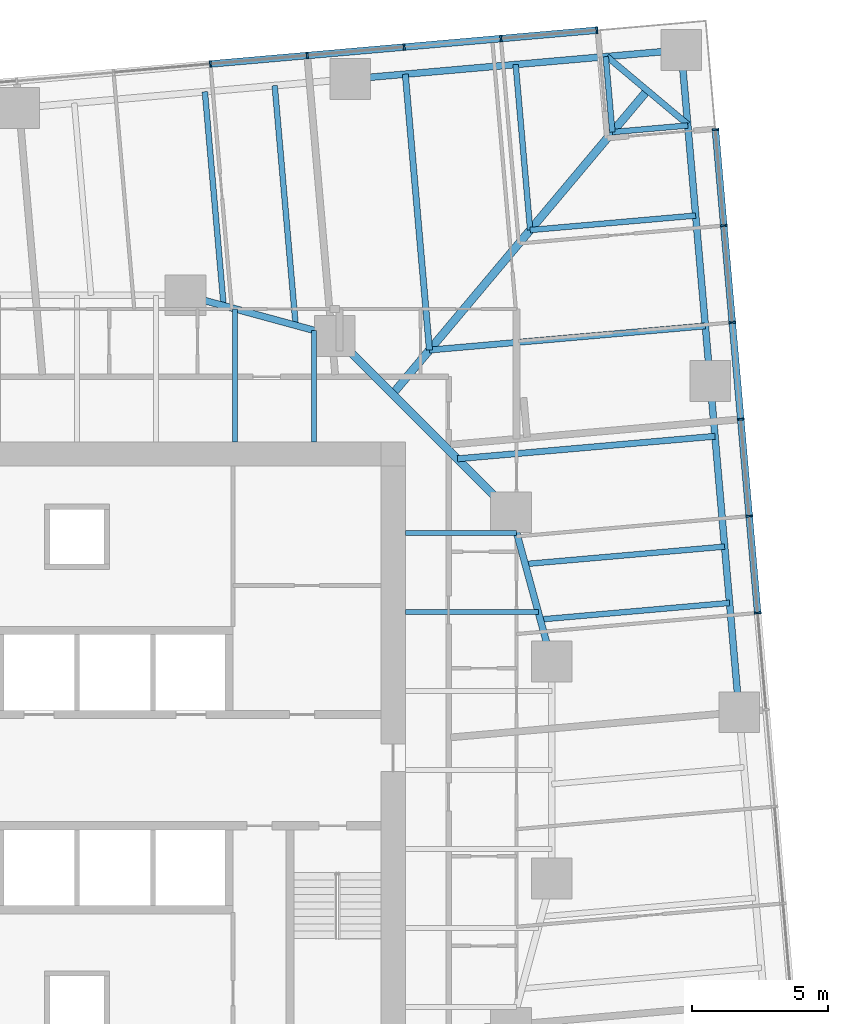
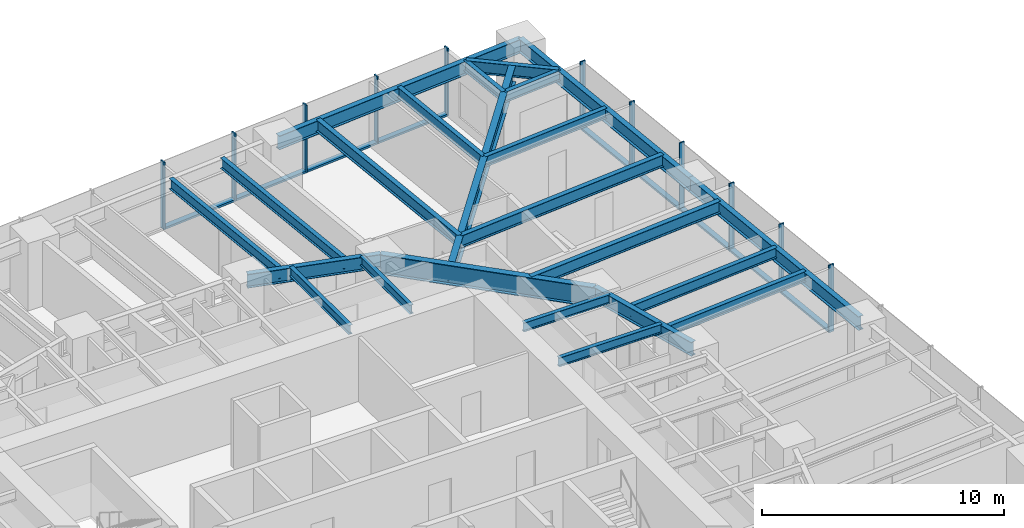
# One storey, part 6 of 14: 23 beams, 20 members, 2 elements without a shape of their own.
"""IFC4 building model written with IfcOpenShell, lengths in metres."""

import ifcopenshell
import ifcopenshell.guid

model = None  # the IFC model being written
_history = None  # IfcOwnerHistory: only IFC2X3 demands one
_inside = {}  # id of a spatial element -> (the spatial element, [elements in it])
_under = {}  # id of a project, library or spatial element -> (it, [spatial elements below it])
_declared = {}  # id of a project -> (the project, [libraries it declares])
_typed = {}  # id of a type object -> (the type object, [elements of that type])
_made_of = {}  # id of a material, layer set ... -> (it, [elements and type objects made of it])


def new_model(schema):
    """Start an empty IFC model of exactly this schema.

    Asked for "IFC4X3", IfcOpenShell would pick the latest addendum, in which some entities
    have other attributes; the version numbers below select the first issue.
    IFC2X3 requires an IfcOwnerHistory on every rooted entity: one is made here for all.
    """
    global model, _history
    if schema == "IFC4X3":
        model = ifcopenshell.file(schema_version=(4, 3, 0, 0))
    else:
        model = ifcopenshell.file(schema=schema)
    _inside.clear()
    _under.clear()
    _declared.clear()
    _typed.clear()
    _made_of.clear()
    _history = None
    if model.schema == "IFC2X3":
        org = make("IfcOrganization", Name="unknown")
        user = make(
            "IfcPersonAndOrganization",
            ThePerson=make("IfcPerson", FamilyName="unknown"),
            TheOrganization=org,
        )
        app = make(
            "IfcApplication",
            ApplicationDeveloper=org,
            Version="unknown",
            ApplicationFullName="unknown",
            ApplicationIdentifier="unknown",
        )
        _history = make(
            "IfcOwnerHistory",
            OwningUser=user,
            OwningApplication=app,
            ChangeAction="ADDED",
            CreationDate=0,
        )
    return model


def make(cls, **values):
    """One entity of the class cls with the attributes given. An attribute that is None is left unset."""
    return model.create_entity(
        cls, **{name: value for name, value in values.items() if value is not None}
    )


def rooted(cls, **values):
    """An entity with a GlobalId (a new one), such as an element, a storey or a relation."""
    return make(cls, GlobalId=ifcopenshell.guid.new(), OwnerHistory=_history, **values)


def si_unit(unit_type, name, prefix=None):
    """IfcSIUnit, for example si_unit("LENGTHUNIT", "METRE", prefix="MILLI")."""
    return make("IfcSIUnit", UnitType=unit_type, Prefix=prefix, Name=name)


def assignment(units):
    """IfcUnitAssignment: the units of a project."""
    return None if units is None else make("IfcUnitAssignment", Units=units)


def point(xyz):
    """IfcCartesianPoint."""
    return None if xyz is None else make("IfcCartesianPoint", Coordinates=xyz)


def direction(xyz):
    """IfcDirection."""
    return None if xyz is None else make("IfcDirection", DirectionRatios=xyz)


def frame(location, z_axis=None, x_axis=None):
    """IfcAxis2Placement3D, a coordinate frame: its origin and axes. An axis left out is left unset."""
    return make(
        "IfcAxis2Placement3D",
        Location=point(location),
        Axis=direction(z_axis),
        RefDirection=direction(x_axis),
    )


def frame_2d(location, x_axis=None):
    """IfcAxis2Placement2D, a coordinate frame in the plane: its origin and x axis."""
    return make(
        "IfcAxis2Placement2D", Location=point(location), RefDirection=direction(x_axis)
    )


def origin():
    """The frame at (0, 0, 0) with its axes left unset."""
    return frame((0.0, 0.0, 0.0))


def origin_2d():
    """The frame at (0, 0) in the plane with its x axis left unset."""
    return frame_2d((0.0, 0.0))


def place(relative_to, where):
    """IfcLocalPlacement: puts the frame where relative to a parent placement (None: the world)."""
    return make(
        "IfcLocalPlacement", PlacementRelTo=relative_to, RelativePlacement=where
    )


def context(
    kind, dimensions, precision=None, world=None, true_north=None, identifier=None
):
    """IfcGeometricRepresentationContext, for example the 3D "Model" context."""
    return make(
        "IfcGeometricRepresentationContext",
        ContextIdentifier=identifier,
        ContextType=kind,
        CoordinateSpaceDimension=dimensions,
        Precision=precision,
        WorldCoordinateSystem=world,
        TrueNorth=true_north,
    )


def subcontext(parent, identifier, kind, view, scale=None):
    """IfcGeometricRepresentationSubContext, for example "Body" below "Model"."""
    return make(
        "IfcGeometricRepresentationSubContext",
        ContextIdentifier=identifier,
        ContextType=kind,
        ParentContext=parent,
        TargetScale=scale,
        TargetView=view,
    )


def project(units=None, contexts=None):
    """IfcProject with its units and contexts."""
    return rooted(
        "IfcProject",
        Name="project",
        RepresentationContexts=contexts,
        UnitsInContext=assignment(units),
    )


def spatial(cls, under=None, at=None, **own):
    """A site, building, storey or space (cls), placed at a placement, below another one or the project."""
    s = rooted(cls, ObjectPlacement=at, **own)
    if under is not None:
        _under.setdefault(under.id(), (under, []))[1].append(s)
    return s


def profile(cls, at=None, kind="AREA", **sizes):
    """A parametric profile (cls). Its sizes go by their IFC names, for example OverallWidth=200.0."""
    return make(cls, ProfileType=kind, Position=at, **sizes)


def rectangle(**sizes):
    """IfcRectangleProfileDef."""
    return profile("IfcRectangleProfileDef", **sizes)


def i_section(**sizes):
    """IfcIShapeProfileDef."""
    return profile("IfcIShapeProfileDef", **sizes)


def extrude(swept, where, along, depth):
    """IfcExtrudedAreaSolid: the profile swept, set in the frame where, extruded along a direction by depth."""
    return make(
        "IfcExtrudedAreaSolid",
        SweptArea=swept,
        Position=where,
        ExtrudedDirection=direction(along),
        Depth=depth,
    )


def shape(context_of_items, identifier, shape_type, items):
    """IfcShapeRepresentation: the items that make up one representation, for example the "Body"."""
    return make(
        "IfcShapeRepresentation",
        ContextOfItems=context_of_items,
        RepresentationIdentifier=identifier,
        RepresentationType=shape_type,
        Items=items,
    )


def material(Name=None, Category=None):
    """IfcMaterial."""
    return make("IfcMaterial", Name=Name, Category=Category)


def material_profile(
    of_material, cross_section, Name=None, Category=None, Priority=None
):
    """IfcMaterialProfile: a cross section and its material."""
    return make(
        "IfcMaterialProfile",
        Name=Name,
        Material=of_material,
        Profile=cross_section,
        Priority=Priority,
        Category=Category,
    )


def profile_set(profiles, Name=None, composite=None):
    """IfcMaterialProfileSet."""
    return make(
        "IfcMaterialProfileSet",
        Name=Name,
        MaterialProfiles=profiles,
        CompositeProfile=composite,
    )


def made_of(thing, what):
    """Note that an element or type object is made of a material, layer set ...; save() writes the relation."""
    if what is not None:
        _made_of.setdefault(what.id(), (what, []))[1].append(thing)
    return thing


def type_object(cls, material=None, **own):
    """A type object (cls), such as IfcWallType, which elements share."""
    return made_of(rooted(cls, **own), material)


def element(
    cls,
    number,
    at=None,
    inside=None,
    cuts=None,
    type_object=None,
    material=None,
    context=None,
    identifier="Body",
    shape_type=None,
    held_by="IfcProductDefinitionShape",
    body=None,
    shapes=None,
    **own,
):
    """One element of the class cls, such as IfcWall. Its Tag is "e" and its number.

    at: its placement. inside: the storey or other place that contains it. cuts: it is an
    opening in that element (IfcRelVoidsElement). A single representation is given by context,
    identifier, shape_type and body (its items); several are given by shapes. held_by: the class
    of the entity that holds the representations. save() writes the other relations.
    """
    e = rooted(cls, Tag="e%d" % number, ObjectPlacement=at, **own)
    if body is not None:
        shapes = [shape(context, identifier, shape_type, body)]
    if shapes is not None:
        e.Representation = make(held_by, Representations=shapes)
    if inside is not None:
        _inside.setdefault(inside.id(), (inside, []))[1].append(e)
    if cuts is not None:
        rooted(
            "IfcRelVoidsElement", RelatingBuildingElement=cuts, RelatedOpeningElement=e
        )
    if type_object is not None:
        _typed.setdefault(type_object.id(), (type_object, []))[1].append(e)
    return made_of(e, material)


def aggregate(whole, parts):
    """IfcRelAggregates: a whole, such as a stair, and the parts it consists of."""
    return rooted("IfcRelAggregates", RelatingObject=whole, RelatedObjects=parts)


def save(model, path):
    """Write the relations noted so far, then the file.

    IfcRelAggregates (storeys below a building ...), IfcRelContainedInSpatialStructure (elements
    in a storey), IfcRelDefinesByType, IfcRelAssociatesMaterial and IfcRelDeclares: one each for
    every whole, place, type object, material and project.
    """
    for whole, parts in _under.values():
        aggregate(whole, parts)
    for where, things in _inside.values():
        rooted(
            "IfcRelContainedInSpatialStructure",
            RelatedElements=things,
            RelatingStructure=where,
        )
    for kind, things in _typed.values():
        rooted("IfcRelDefinesByType", RelatedObjects=things, RelatingType=kind)
    for what, things in _made_of.values():
        rooted("IfcRelAssociatesMaterial", RelatedObjects=things, RelatingMaterial=what)
    for by, libraries in _declared.values():
        rooted("IfcRelDeclares", RelatingContext=by, RelatedDefinitions=libraries)
    model.write(path)


model = new_model("IFC4")

# Units and contexts
model_context = context("Model", 3, precision=1e-05, world=origin(), true_north=direction((0.0, 1.0)))
body_context = subcontext(model_context, "Body", "Model", "MODEL_VIEW")
ifc_project = project(units=[si_unit("LENGTHUNIT", "METRE"), si_unit("AREAUNIT", "SQUARE_METRE"), si_unit("VOLUMEUNIT", "CUBIC_METRE"), si_unit("PLANEANGLEUNIT", "RADIAN"), si_unit("MASSUNIT", "GRAM", prefix="KILO")], contexts=[model_context])

# Site, building, storey
site_placement = place(None, origin())
site = spatial("IfcSite", under=ifc_project, at=site_placement, CompositionType="ELEMENT")
building_placement = place(site_placement, origin())
building = spatial("IfcBuilding", under=site, at=building_placement, Name="Torsade Residences", CompositionType="ELEMENT")
storey_placement = place(building_placement, frame((0.0, 0.0, 57.39990234375)))
storey = spatial("IfcBuildingStorey", under=building, at=storey_placement, Name="L15", CompositionType="ELEMENT", Elevation=57.39990234375)

# Beams
ifc_material_1 = material(Name="Steel grade 300", Category="steel")
ifc_material_profile_1 = material_profile(ifc_material_1, i_section(OverallWidth=0.300048828125, OverallDepth=0.89990234375, WebThickness=0.011962890625, FlangeThickness=0.02490234375, at=origin_2d()), Name="900WB175")
ifc_profile_set_1 = profile_set([ifc_material_profile_1], Name="Steel grade 300")
beam_type_1 = type_object("IfcBeamType", Name="CORNER GIRDER 900WB175", PredefinedType="BEAM", material=ifc_profile_set_1)
beam_1_placement = place(storey_placement, frame((61.021484375, 55.052490234375, 2.800048828125), z_axis=(-0.642785419012, -0.766046281307, 0.0), x_axis=(0.766046281307, -0.642785419012, 0.0)))
element("IfcBeam", 1, at=beam_1_placement, inside=storey, type_object=beam_type_1, Name="Corner girder 09 L16", PredefinedType="BEAM", context=body_context, shape_type="SweptSolid", body=[
    extrude(i_section(OverallWidth=0.300048828125, OverallDepth=0.89990234375, WebThickness=0.011962890625, FlangeThickness=0.02490234375, at=origin_2d()), origin(), (0.0, 0.0, 1.0), 14.603515625),
])
ifc_material_2 = material(Name="Steel grade 300", Category="steel")
ifc_material_profile_2 = material_profile(ifc_material_2, i_section(OverallWidth=0.22802734375, OverallDepth=0.60205078125, WebThickness=0.010498046875, FlangeThickness=0.014892578125, FilletRadius=0.013916015625, at=origin_2d()), Name="610UB101")
ifc_profile_set_2 = profile_set([ifc_material_profile_2], Name="Steel grade 300")
beam_type_2 = type_object("IfcBeamType", Name="CORNER TRIMMER 610UB101", PredefinedType="BEAM", material=ifc_profile_set_2)
beam_2_placement = place(storey_placement, frame((59.531982421875, 56.302490234375, 2.94921875), z_axis=(0.766030001697, -0.642804819911, 0.0), x_axis=(0.642804819911, 0.766030001697, 0.0)))
element("IfcBeam", 2, at=beam_2_placement, inside=storey, type_object=beam_type_2, Name="Corner trimmer 09 L16", PredefinedType="BEAM", context=body_context, shape_type="SweptSolid", body=[
    extrude(i_section(OverallWidth=0.22802734375, OverallDepth=0.60205078125, WebThickness=0.010498046875, FlangeThickness=0.014892578125, FilletRadius=0.013916015625, at=origin_2d()), origin(), (0.0, 0.0, 1.0), 3.88916015625),
])

# Curtain wall, members
ifc_material_3 = material(Name="Aluminium and glass", Category="aluminium")
curtain_wall_type = type_object("IfcCurtainWallType", Name="FRITTED GLASS CURTAIN WALL LOW ZONE", PredefinedType="NOTDEFINED", material=ifc_material_3)
curtain_wall_1_placement = place(storey_placement, origin())
curtain_wall_1 = element("IfcCurtainWall", 3, at=curtain_wall_1_placement, inside=storey, type_object=curtain_wall_type, Name="Curtain wall L15 face 4", PredefinedType="NOTDEFINED")
ifc_material_4 = material(Name="Aluminium mullion", Category="aluminium")
ifc_material_profile_3 = material_profile(ifc_material_4, rectangle(XDim=0.25, YDim=0.06494140625, at=origin_2d()), Name="CURTAIN WALL MULLION 250x65")
ifc_profile_set_3 = profile_set([ifc_material_profile_3], Name="Aluminium mullion")
member_type_1 = type_object("IfcMemberType", Name="CURTAIN WALL MULLION 250x65", PredefinedType="MULLION", material=ifc_profile_set_3)
member_1_placement = place(storey_placement, frame((65.090576171875, 35.792236328125, 0.0), z_axis=(0.0, 0.0, 1.0), x_axis=(-0.996194697964, -0.087155744208, 0.0)))
member_1 = element("IfcMember", 4, at=member_1_placement, type_object=member_type_1, Name="Mullion 8", PredefinedType="MULLION", context=body_context, shape_type="SweptSolid", body=[
    extrude(rectangle(XDim=0.25, YDim=0.06494140625, at=origin_2d()), origin(), (0.0, 0.0, 1.0), 3.400146484375),
])
member_2_placement = place(storey_placement, frame((64.7783203125, 39.36181640625, 0.0), z_axis=(0.0, 0.0, 1.0), x_axis=(-0.996194697964, -0.087155744208, 0.0)))
member_2 = element("IfcMember", 5, at=member_2_placement, type_object=member_type_1, Name="Mullion 9", PredefinedType="MULLION", context=body_context, shape_type="SweptSolid", body=[
    extrude(rectangle(XDim=0.25, YDim=0.06494140625, at=origin_2d()), origin(), (0.0, 0.0, 1.0), 3.400146484375),
])
member_3_placement = place(storey_placement, frame((64.466064453125, 42.931640625, 0.0), z_axis=(0.0, 0.0, 1.0), x_axis=(-0.996194697964, -0.087155744208, 0.0)))
member_3 = element("IfcMember", 6, at=member_3_placement, type_object=member_type_1, Name="Mullion 10", PredefinedType="MULLION", context=body_context, shape_type="SweptSolid", body=[
    extrude(rectangle(XDim=0.25, YDim=0.06494140625, at=origin_2d()), origin(), (0.0, 0.0, 1.0), 3.400146484375),
])
member_4_placement = place(storey_placement, frame((64.15380859375, 46.501220703125, 0.0), z_axis=(0.0, 0.0, 1.0), x_axis=(-0.996194697964, -0.087155744208, 0.0)))
member_4 = element("IfcMember", 7, at=member_4_placement, type_object=member_type_1, Name="Mullion 11", PredefinedType="MULLION", context=body_context, shape_type="SweptSolid", body=[
    extrude(rectangle(XDim=0.25, YDim=0.06494140625, at=origin_2d()), origin(), (0.0, 0.0, 1.0), 3.400146484375),
])
member_5_placement = place(storey_placement, frame((63.84130859375, 50.071044921875, 0.0), z_axis=(0.0, 0.0, 1.0), x_axis=(-0.996194697964, -0.087155744208, 0.0)))
member_5 = element("IfcMember", 8, at=member_5_placement, type_object=member_type_1, Name="Mullion 12", PredefinedType="MULLION", context=body_context, shape_type="SweptSolid", body=[
    extrude(rectangle(XDim=0.25, YDim=0.06494140625, at=origin_2d()), origin(), (0.0, 0.0, 1.0), 3.400146484375),
])
member_6_placement = place(storey_placement, frame((63.531982421875, 53.6083984375, 0.0), z_axis=(0.0, 0.0, 1.0), x_axis=(-0.996194697964, -0.087155744208, 0.0)))
member_6 = element("IfcMember", 9, at=member_6_placement, type_object=member_type_1, Name="Mullion 13", PredefinedType="MULLION", context=body_context, shape_type="SweptSolid", body=[
    extrude(rectangle(XDim=0.25, YDim=0.06494140625, at=origin_2d()), origin(), (0.0, 0.0, 1.0), 3.400146484375),
])

curtain_wall_2_placement = place(storey_placement, origin())
curtain_wall_2 = element("IfcCurtainWall", 10, at=curtain_wall_2_placement, inside=storey, type_object=curtain_wall_type, Name="Curtain wall L15 face 7", PredefinedType="NOTDEFINED")
member_7_placement = place(storey_placement, frame((59.163330078125, 57.27392578125, 0.0), z_axis=(0.0, 0.0, 1.0), x_axis=(0.087155744208, -0.996194697964, 0.0)))
member_7 = element("IfcMember", 11, at=member_7_placement, type_object=member_type_1, Name="Mullion 1", PredefinedType="MULLION", context=body_context, shape_type="SweptSolid", body=[
    extrude(rectangle(XDim=0.25, YDim=0.06494140625, at=origin_2d()), origin(), (0.0, 0.0, 1.0), 3.400146484375),
])
member_8_placement = place(storey_placement, frame((55.6259765625, 56.964599609375, 0.0), z_axis=(0.0, 0.0, 1.0), x_axis=(0.087155744208, -0.996194697964, 0.0)))
member_8 = element("IfcMember", 12, at=member_8_placement, type_object=member_type_1, Name="Mullion 2", PredefinedType="MULLION", context=body_context, shape_type="SweptSolid", body=[
    extrude(rectangle(XDim=0.25, YDim=0.06494140625, at=origin_2d()), origin(), (0.0, 0.0, 1.0), 3.400146484375),
])
member_9_placement = place(storey_placement, frame((52.056396484375, 56.652099609375, 0.0), z_axis=(0.0, 0.0, 1.0), x_axis=(0.087155744208, -0.996194697964, 0.0)))
member_9 = element("IfcMember", 13, at=member_9_placement, type_object=member_type_1, Name="Mullion 3", PredefinedType="MULLION", context=body_context, shape_type="SweptSolid", body=[
    extrude(rectangle(XDim=0.25, YDim=0.06494140625, at=origin_2d()), origin(), (0.0, 0.0, 1.0), 3.400146484375),
])
member_10_placement = place(storey_placement, frame((48.486572265625, 56.33984375, 0.0), z_axis=(0.0, 0.0, 1.0), x_axis=(0.087155744208, -0.996194697964, 0.0)))
member_10 = element("IfcMember", 14, at=member_10_placement, type_object=member_type_1, Name="Mullion 4", PredefinedType="MULLION", context=body_context, shape_type="SweptSolid", body=[
    extrude(rectangle(XDim=0.25, YDim=0.06494140625, at=origin_2d()), origin(), (0.0, 0.0, 1.0), 3.400146484375),
])
member_11_placement = place(storey_placement, frame((44.9169921875, 56.027587890625, 0.0), z_axis=(0.0, 0.0, 1.0), x_axis=(0.087155744208, -0.996194697964, 0.0)))
member_11 = element("IfcMember", 15, at=member_11_placement, type_object=member_type_1, Name="Mullion 5", PredefinedType="MULLION", context=body_context, shape_type="SweptSolid", body=[
    extrude(rectangle(XDim=0.25, YDim=0.06494140625, at=origin_2d()), origin(), (0.0, 0.0, 1.0), 3.400146484375),
])

# Member
ifc_material_5 = material(Name="Aluminium transom", Category="aluminium")
ifc_material_profile_4 = material_profile(ifc_material_5, rectangle(XDim=0.25, YDim=0.10009765625, at=origin_2d()), Name="CURTAIN WALL TRANSOM 250x100")
ifc_profile_set_4 = profile_set([ifc_material_profile_4], Name="Aluminium transom")
member_type_2 = type_object("IfcMemberType", Name="CURTAIN WALL TRANSOM 250x100", PredefinedType="USERDEFINED", material=ifc_profile_set_4)
member_12_placement = place(storey_placement, frame((65.087890625, 35.824462890625, 0.050048828125), z_axis=(-0.08715059597, 0.996195148363, 0.0), x_axis=(-0.996195148363, -0.08715059597, 0.0)))
member_12 = element("IfcMember", 16, at=member_12_placement, type_object=member_type_2, Name="Transom 8.1", ObjectType="TRANSOM", PredefinedType="USERDEFINED", context=body_context, shape_type="SweptSolid", body=[
    extrude(rectangle(XDim=0.25, YDim=0.10009765625, at=origin_2d()), origin(), (0.0, 0.0, 1.0), 3.5185546875),
])

member_13_placement = place(storey_placement, frame((64.775634765625, 39.394287109375, 0.050048828125), z_axis=(-0.087156620531, 0.996194621295, 0.0), x_axis=(-0.996194621295, -0.087156620531, 0.0)))
member_13 = element("IfcMember", 17, at=member_13_placement, type_object=member_type_2, Name="Transom 9.1", ObjectType="TRANSOM", PredefinedType="USERDEFINED", context=body_context, shape_type="SweptSolid", body=[
    extrude(rectangle(XDim=0.25, YDim=0.10009765625, at=origin_2d()), origin(), (0.0, 0.0, 1.0), 3.518310546875),
])

member_14_placement = place(storey_placement, frame((64.463134765625, 42.9638671875, 0.050048828125), z_axis=(-0.08715059597, 0.996195148363, 0.0), x_axis=(-0.996195148363, -0.08715059597, 0.0)))
member_14 = element("IfcMember", 18, at=member_14_placement, type_object=member_type_2, Name="Transom 10.1", ObjectType="TRANSOM", PredefinedType="USERDEFINED", context=body_context, shape_type="SweptSolid", body=[
    extrude(rectangle(XDim=0.25, YDim=0.10009765625, at=origin_2d()), origin(), (0.0, 0.0, 1.0), 3.5185546875),
])

member_15_placement = place(storey_placement, frame((64.15087890625, 46.53369140625, 0.050048828125), z_axis=(-0.087156620531, 0.996194621295, 0.0), x_axis=(-0.996194621295, -0.087156620531, 0.0)))
member_15 = element("IfcMember", 19, at=member_15_placement, type_object=member_type_2, Name="Transom 11.1", ObjectType="TRANSOM", PredefinedType="USERDEFINED", context=body_context, shape_type="SweptSolid", body=[
    extrude(rectangle(XDim=0.25, YDim=0.10009765625, at=origin_2d()), origin(), (0.0, 0.0, 1.0), 3.518310546875),
])

member_16_placement = place(storey_placement, frame((63.838623046875, 50.103271484375, 0.050048828125), z_axis=(-0.08719475177, 0.996191284475, 0.0), x_axis=(-0.996191284475, -0.08719475177, 0.0)))
member_16 = element("IfcMember", 20, at=member_16_placement, type_object=member_type_2, Name="Transom 12.1", ObjectType="TRANSOM", PredefinedType="USERDEFINED", context=body_context, shape_type="SweptSolid", body=[
    extrude(rectangle(XDim=0.25, YDim=0.10009765625, at=origin_2d()), origin(), (0.0, 0.0, 1.0), 3.48583984375),
])

aggregate(curtain_wall_1, [member_1, member_2, member_3, member_4, member_5, member_6, member_12, member_13, member_14, member_15, member_16])

member_17_placement = place(storey_placement, frame((59.130859375, 57.271240234375, 0.050048828125), z_axis=(-0.996190751941, -0.0872008357, 0.0), x_axis=(0.0872008357, -0.996190751941, 0.0)))
member_17 = element("IfcMember", 21, at=member_17_placement, type_object=member_type_2, Name="Transom 1.1", ObjectType="TRANSOM", PredefinedType="USERDEFINED", context=body_context, shape_type="SweptSolid", body=[
    extrude(rectangle(XDim=0.25, YDim=0.10009765625, at=origin_2d()), origin(), (0.0, 0.0, 1.0), 3.485595703125),
])

member_18_placement = place(storey_placement, frame((55.59375, 56.961669921875, 0.050048828125), z_axis=(-0.996195148363, -0.08715059597, 0.0), x_axis=(0.08715059597, -0.996195148363, 0.0)))
member_18 = element("IfcMember", 22, at=member_18_placement, type_object=member_type_2, Name="Transom 2.1", ObjectType="TRANSOM", PredefinedType="USERDEFINED", context=body_context, shape_type="SweptSolid", body=[
    extrude(rectangle(XDim=0.25, YDim=0.10009765625, at=origin_2d()), origin(), (0.0, 0.0, 1.0), 3.5185546875),
])

member_19_placement = place(storey_placement, frame((52.02392578125, 56.6494140625, 0.050048828125), z_axis=(-0.996194621295, -0.087156620531, 0.0), x_axis=(0.087156620531, -0.996194621295, 0.0)))
member_19 = element("IfcMember", 23, at=member_19_placement, type_object=member_type_2, Name="Transom 3.1", ObjectType="TRANSOM", PredefinedType="USERDEFINED", context=body_context, shape_type="SweptSolid", body=[
    extrude(rectangle(XDim=0.25, YDim=0.10009765625, at=origin_2d()), origin(), (0.0, 0.0, 1.0), 3.518310546875),
])

member_20_placement = place(storey_placement, frame((48.454345703125, 56.337158203125, 0.050048828125), z_axis=(-0.996195148363, -0.08715059597, 0.0), x_axis=(0.08715059597, -0.996195148363, 0.0)))
member_20 = element("IfcMember", 24, at=member_20_placement, type_object=member_type_2, Name="Transom 4.1", ObjectType="TRANSOM", PredefinedType="USERDEFINED", context=body_context, shape_type="SweptSolid", body=[
    extrude(rectangle(XDim=0.25, YDim=0.10009765625, at=origin_2d()), origin(), (0.0, 0.0, 1.0), 3.5185546875),
])

aggregate(curtain_wall_2, [member_7, member_8, member_9, member_10, member_11, member_17, member_18, member_19, member_20])

# Beams
ifc_material_6 = material(Name="Steel grade 300", Category="steel")
ifc_material_profile_5 = material_profile(ifc_material_6, i_section(OverallWidth=0.25, OverallDepth=0.699951171875, WebThickness=0.010009765625, FlangeThickness=0.02001953125, at=origin_2d()), Name="700WB130")
ifc_profile_set_5 = profile_set([ifc_material_profile_5], Name="Steel grade 300")
beam_type_3 = type_object("IfcBeamType", Name="EDGE BEAM 700WB130", PredefinedType="SPANDREL", material=ifc_profile_set_5)
for number, where, z_axis, x_axis, name in (
    (25, (64.40673828125, 32.13525390625, 2.900146484375), (-0.08715335259, 0.996194907201, 0.0), (-0.996194907201, -0.08715335259, 0.0), "Edge beam 07 L16"),
    (26, (63.339111328125, 44.338623046875, 2.900146484375), (-0.08715335259, 0.996194907201, 0.0), (-0.996194907201, -0.08715335259, 0.0), "Edge beam 08 L16"),
    (27, (62.271484375, 56.5419921875, 2.900146484375), (-0.996194907201, -0.08715335259, 0.0), (0.08715335259, -0.996194907201, 0.0), "Edge beam 09 L16"),
):
    element("IfcBeam", number, at=place(storey_placement, frame(where, z_axis=z_axis, x_axis=x_axis)), inside=storey, type_object=beam_type_3, Name=name, PredefinedType="SPANDREL", context=body_context, shape_type="SweptSolid", body=[
        extrude(i_section(OverallWidth=0.25, OverallDepth=0.699951171875, WebThickness=0.010009765625, FlangeThickness=0.02001953125, at=origin_2d()), origin(), (0.0, 0.0, 1.0), 12.25),
    ])
ifc_material_7 = material(Name="Steel grade 300", Category="steel")
ifc_material_profile_6 = material_profile(ifc_material_7, i_section(OverallWidth=0.18994140625, OverallDepth=0.4541015625, WebThickness=0.008544921875, FlangeThickness=0.0126953125, FilletRadius=0.011474609375, at=origin_2d()), Name="460UB67.1")
ifc_profile_set_6 = profile_set([ifc_material_profile_6], Name="Steel grade 300")
beam_type_4 = type_object("IfcBeamType", Name="INNER FLOOR BEAM 460UB67.1", PredefinedType="JOIST", material=ifc_profile_set_6)
beam_3_placement = place(storey_placement, frame((45.824951171875, 42.10009765625, 3.023193359375), z_axis=(0.0, 1.0, 0.0), x_axis=(-1.0, 0.0, 0.0)))
element("IfcBeam", 28, at=beam_3_placement, inside=storey, type_object=beam_type_4, Name="Inner floor beam IN06 L16", PredefinedType="JOIST", context=body_context, shape_type="SweptSolid", body=[
    extrude(i_section(OverallWidth=0.18994140625, OverallDepth=0.4541015625, WebThickness=0.008544921875, FlangeThickness=0.0126953125, FilletRadius=0.011474609375, at=origin_2d()), origin(), (0.0, 0.0, 1.0), 4.902099609375),
])
beam_4_placement = place(storey_placement, frame((48.737548828125, 42.10009765625, 3.023193359375), z_axis=(0.0, 1.0, 0.0), x_axis=(-1.0, 0.0, 0.0)))
element("IfcBeam", 29, at=beam_4_placement, inside=storey, type_object=beam_type_4, Name="Inner floor beam IN07 L16", PredefinedType="JOIST", context=body_context, shape_type="SweptSolid", body=[
    extrude(i_section(OverallWidth=0.18994140625, OverallDepth=0.4541015625, WebThickness=0.008544921875, FlangeThickness=0.0126953125, FilletRadius=0.011474609375, at=origin_2d()), origin(), (0.0, 0.0, 1.0), 4.10791015625),
])
beam_5_placement = place(storey_placement, frame((52.10009765625, 35.824951171875, 3.023193359375), z_axis=(1.0, 0.0, 0.0), x_axis=(0.0, 1.0, 0.0)))
element("IfcBeam", 30, at=beam_5_placement, inside=storey, type_object=beam_type_4, Name="Inner floor beam IE06 L16", PredefinedType="JOIST", context=body_context, shape_type="SweptSolid", body=[
    extrude(i_section(OverallWidth=0.18994140625, OverallDepth=0.4541015625, WebThickness=0.008544921875, FlangeThickness=0.0126953125, FilletRadius=0.011474609375, at=origin_2d()), origin(), (0.0, 0.0, 1.0), 4.902099609375),
])
beam_6_placement = place(storey_placement, frame((52.10009765625, 38.737548828125, 3.023193359375), z_axis=(1.0, 0.0, 0.0), x_axis=(0.0, 1.0, 0.0)))
element("IfcBeam", 31, at=beam_6_placement, inside=storey, type_object=beam_type_4, Name="Inner floor beam IE07 L16", PredefinedType="JOIST", context=body_context, shape_type="SweptSolid", body=[
    extrude(i_section(OverallWidth=0.18994140625, OverallDepth=0.4541015625, WebThickness=0.008544921875, FlangeThickness=0.0126953125, FilletRadius=0.011474609375, at=origin_2d()), origin(), (0.0, 0.0, 1.0), 4.10791015625),
])
ifc_material_8 = material(Name="Steel grade 300", Category="steel")
ifc_material_profile_7 = material_profile(ifc_material_8, i_section(OverallWidth=0.300048828125, OverallDepth=1.0, WebThickness=0.01611328125, FlangeThickness=0.028076171875, at=origin_2d()), Name="1000WB215")
ifc_profile_set_7 = profile_set([ifc_material_profile_7], Name="Steel grade 300")
beam_type_5 = type_object("IfcBeamType", Name="RING CORNER GIRDER 1000WB215", PredefinedType="BEAM", material=ifc_profile_set_7)
beam_7_placement = place(storey_placement, frame((56.0, 39.5, 2.75), z_axis=(-0.707106781187, 0.707106781187, 0.0), x_axis=(-0.707106781187, -0.707106781187, 0.0)))
element("IfcBeam", 32, at=beam_7_placement, inside=storey, type_object=beam_type_5, Name="Ring girder IR03 L16", PredefinedType="BEAM", context=body_context, shape_type="SweptSolid", body=[
    extrude(i_section(OverallWidth=0.300048828125, OverallDepth=1.0, WebThickness=0.01611328125, FlangeThickness=0.028076171875, at=origin_2d()), origin(), (0.0, 0.0, 1.0), 9.1923828125),
])
ifc_material_9 = material(Name="Steel grade 300", Category="steel")
ifc_material_profile_8 = material_profile(ifc_material_9, i_section(OverallWidth=0.25, OverallDepth=0.699951171875, WebThickness=0.010009765625, FlangeThickness=0.02001953125, at=origin_2d()), Name="700WB130")
ifc_profile_set_8 = profile_set([ifc_material_profile_8], Name="Steel grade 300")
beam_type_6 = type_object("IfcBeamType", Name="RING GIRDER 700WB130", PredefinedType="BEAM", material=ifc_profile_set_8)
for number, where, z_axis, x_axis, name in (
    (33, (57.5, 34.0, 2.900146484375), (-0.263117405792, 0.964763821238, 0.0), (-0.964763821238, -0.263117405792, 0.0), "Ring girder IR02 L16"),
    (34, (49.5, 46.0, 2.900146484375), (-0.964763821238, 0.263117405792, 0.0), (-0.263117405792, -0.964763821238, 0.0), "Ring girder IR04 L16"),
):
    element("IfcBeam", number, at=place(storey_placement, frame(where, z_axis=z_axis, x_axis=x_axis)), inside=storey, type_object=beam_type_6, Name=name, PredefinedType="BEAM", context=body_context, shape_type="SweptSolid", body=[
        extrude(i_section(OverallWidth=0.25, OverallDepth=0.699951171875, WebThickness=0.010009765625, FlangeThickness=0.02001953125, at=origin_2d()), origin(), (0.0, 0.0, 1.0), 5.700927734375),
    ])
ifc_material_10 = material(Name="Steel grade 300", Category="steel")
ifc_material_profile_9 = material_profile(ifc_material_10, i_section(OverallWidth=0.208984375, OverallDepth=0.528076171875, WebThickness=0.009521484375, FlangeThickness=0.01318359375, FilletRadius=0.013916015625, at=origin_2d()), Name="530UB82.0")
ifc_profile_set_9 = profile_set([ifc_material_profile_9], Name="Steel grade 300")
beam_type_7 = type_object("IfcBeamType", Name="SECONDARY BEAM 530UB82.0", PredefinedType="JOIST", material=ifc_profile_set_9)
beam_8_placement = place(storey_placement, frame((64.054443359375, 36.16162109375, 2.986083984375), z_axis=(-0.99619296077, -0.087175598142, 0.0), x_axis=(0.087175598142, -0.99619296077, 0.0)))
element("IfcBeam", 35, at=beam_8_placement, inside=storey, type_object=beam_type_7, Name="Floor beam FE07 L16", PredefinedType="JOIST", context=body_context, shape_type="SweptSolid", body=[
    extrude(i_section(OverallWidth=0.208984375, OverallDepth=0.528076171875, WebThickness=0.009521484375, FlangeThickness=0.01318359375, FilletRadius=0.013916015625, at=origin_2d()), origin(), (0.0, 0.0, 1.0), 7.004150390625),
])
beam_9_placement = place(storey_placement, frame((63.873046875, 38.237060546875, 2.986083984375), z_axis=(-0.996194650902, -0.087156282128, 0.0), x_axis=(0.087156282128, -0.996194650902, 0.0)))
element("IfcBeam", 36, at=beam_9_placement, inside=storey, type_object=beam_type_7, Name="Floor beam FE08 L16", PredefinedType="JOIST", context=body_context, shape_type="SweptSolid", body=[
    extrude(i_section(OverallWidth=0.208984375, OverallDepth=0.528076171875, WebThickness=0.009521484375, FlangeThickness=0.01318359375, FilletRadius=0.013916015625, at=origin_2d()), origin(), (0.0, 0.0, 1.0), 7.381103515625),
])
beam_10_placement = place(storey_placement, frame((62.80517578125, 50.4404296875, 2.986083984375), z_axis=(-0.996193025206, -0.087174861801, 0.0), x_axis=(0.087174861801, -0.996193025206, 0.0)))
element("IfcBeam", 37, at=beam_10_placement, inside=storey, type_object=beam_type_7, Name="Floor beam FE11 L16", PredefinedType="JOIST", context=body_context, shape_type="SweptSolid", body=[
    extrude(i_section(OverallWidth=0.208984375, OverallDepth=0.528076171875, WebThickness=0.009521484375, FlangeThickness=0.01318359375, FilletRadius=0.013916015625, at=origin_2d()), origin(), (0.0, 0.0, 1.0), 6.125),
])
for number, where, z_axis, x_axis, name in (
    (38, (62.5146484375, 53.760986328125, 2.986083984375), (-0.996199126418, -0.087105111923, 0.0), (0.087105111923, -0.996199126418, 0.0), "Floor beam FE12 L16"),
    (39, (59.490478515625, 56.298828125, 2.986083984375), (0.087105111923, -0.996199126418, 0.0), (0.996199126418, 0.087105111923, 0.0), "Floor beam FN01 L16"),
):
    element("IfcBeam", number, at=place(storey_placement, frame(where, z_axis=z_axis, x_axis=x_axis)), inside=storey, type_object=beam_type_7, Name=name, PredefinedType="JOIST", context=body_context, shape_type="SweptSolid", body=[
        extrude(i_section(OverallWidth=0.208984375, OverallDepth=0.528076171875, WebThickness=0.009521484375, FlangeThickness=0.01318359375, FilletRadius=0.013916015625, at=origin_2d()), origin(), (0.0, 0.0, 1.0), 2.79150390625),
    ])
beam_11_placement = place(storey_placement, frame((56.169677734375, 56.00830078125, 2.986083984375), z_axis=(0.087171400335, -0.996193328106, 0.0), x_axis=(0.996193328106, 0.087171400335, 0.0)))
element("IfcBeam", 40, at=beam_11_placement, inside=storey, type_object=beam_type_7, Name="Floor beam FN02 L16", PredefinedType="JOIST", context=body_context, shape_type="SweptSolid", body=[
    extrude(i_section(OverallWidth=0.208984375, OverallDepth=0.528076171875, WebThickness=0.009521484375, FlangeThickness=0.01318359375, FilletRadius=0.013916015625, at=origin_2d()), origin(), (0.0, 0.0, 1.0), 6.125244140625),
])
beam_12_placement = place(storey_placement, frame((47.287109375, 55.231201171875, 2.986083984375), z_axis=(0.08714612802, -0.996195539225, 0.0), x_axis=(0.996195539225, 0.08714612802, 0.0)))
element("IfcBeam", 41, at=beam_12_placement, inside=storey, type_object=beam_type_7, Name="Floor beam FN04 L16", PredefinedType="JOIST", context=body_context, shape_type="SweptSolid", body=[
    extrude(i_section(OverallWidth=0.208984375, OverallDepth=0.528076171875, WebThickness=0.009521484375, FlangeThickness=0.01318359375, FilletRadius=0.013916015625, at=origin_2d()), origin(), (0.0, 0.0, 1.0), 8.872314453125),
])
beam_13_placement = place(storey_placement, frame((44.713623046875, 55.005859375, 2.986083984375), z_axis=(0.087157771408, -0.996194520605, 0.0), x_axis=(0.996194520605, 0.087157771408, 0.0)))
element("IfcBeam", 42, at=beam_13_placement, inside=storey, type_object=beam_type_7, Name="Floor beam FN05 L16", PredefinedType="JOIST", context=body_context, shape_type="SweptSolid", body=[
    extrude(i_section(OverallWidth=0.208984375, OverallDepth=0.528076171875, WebThickness=0.009521484375, FlangeThickness=0.01318359375, FilletRadius=0.013916015625, at=origin_2d()), origin(), (0.0, 0.0, 1.0), 7.918701171875),
])
ifc_material_11 = material(Name="Steel grade 300", Category="steel")
ifc_material_profile_10 = material_profile(ifc_material_11, i_section(OverallWidth=0.22900390625, OverallDepth=0.612060546875, WebThickness=0.011962890625, FlangeThickness=0.01953125, FilletRadius=0.013916015625, at=origin_2d()), Name="610UB125")
ifc_profile_set_10 = profile_set([ifc_material_profile_10], Name="Steel grade 300")
beam_type_8 = type_object("IfcBeamType", Name="SECONDARY BEAM 610UB125", PredefinedType="JOIST", material=ifc_profile_set_10)
beam_14_placement = place(storey_placement, frame((63.51708984375, 42.3046875, 2.944091796875), z_axis=(-0.996195358323, -0.087148195942, 0.0), x_axis=(0.087148195942, -0.996195358323, 0.0)))
element("IfcBeam", 43, at=beam_14_placement, inside=storey, type_object=beam_type_8, Name="Floor beam FE09 L16", PredefinedType="JOIST", context=body_context, shape_type="SweptSolid", body=[
    extrude(i_section(OverallWidth=0.22900390625, OverallDepth=0.612060546875, WebThickness=0.011962890625, FlangeThickness=0.01953125, FilletRadius=0.013916015625, at=origin_2d()), origin(), (0.0, 0.0, 1.0), 9.527587890625),
])
for number, where, z_axis, x_axis, name in (
    (44, (63.1611328125, 46.37255859375, 2.944091796875), (-0.996195222988, -0.087149742944, 0.0), (0.087149742944, -0.996195222988, 0.0), "Floor beam FE10 L16"),
    (45, (52.10205078125, 55.65234375, 2.944091796875), (0.087149742944, -0.996195222988, 0.0), (0.996195222988, 0.087149742944, 0.0), "Floor beam FN03 L16"),
):
    element("IfcBeam", number, at=place(storey_placement, frame(where, z_axis=z_axis, x_axis=x_axis)), inside=storey, type_object=beam_type_8, Name=name, PredefinedType="JOIST", context=body_context, shape_type="SweptSolid", body=[
        extrude(i_section(OverallWidth=0.22900390625, OverallDepth=0.612060546875, WebThickness=0.011962890625, FlangeThickness=0.01953125, FilletRadius=0.013916015625, at=origin_2d()), origin(), (0.0, 0.0, 1.0), 10.208251953125),
    ])

save(model, "model.ifc")
